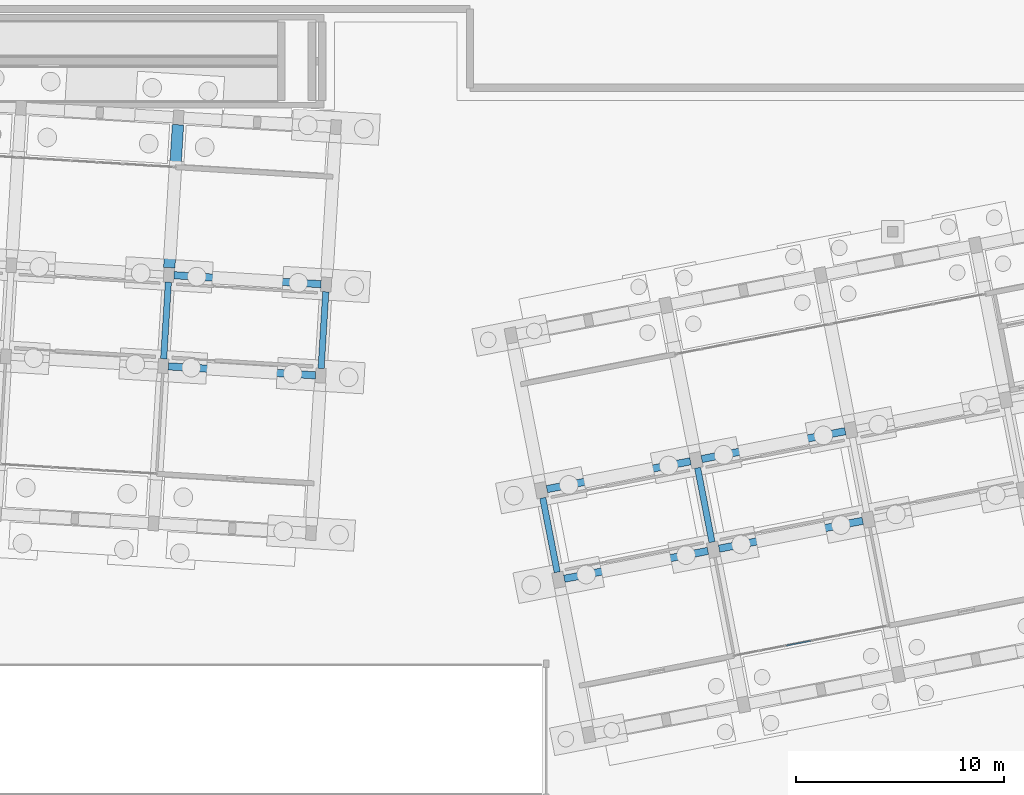
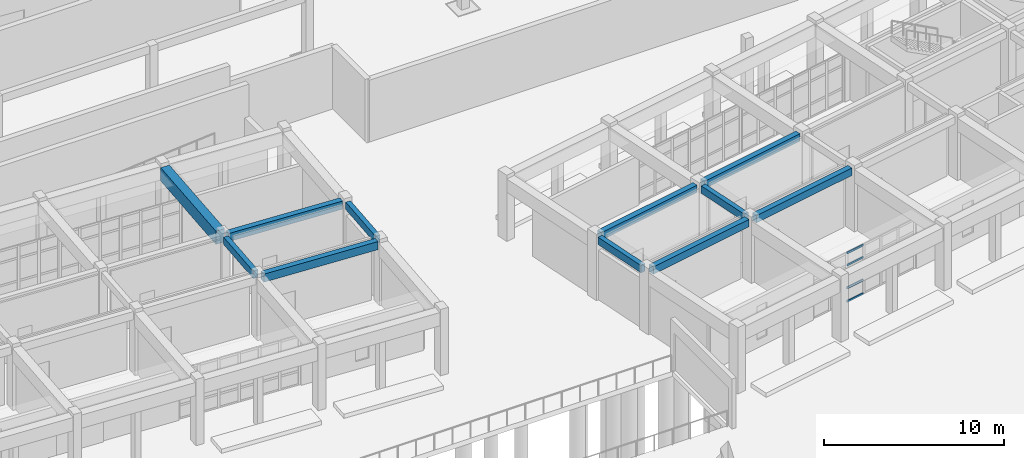
# One storey, part 55 of 154: 11 beams, 4 members, 1 element without a shape of its own.
"""IFC4 building model written with IfcOpenShell, lengths in metres."""

import ifcopenshell
import ifcopenshell.guid

model = None  # the IFC model being written
_history = None  # IfcOwnerHistory: only IFC2X3 demands one
_inside = {}  # id of a spatial element -> (the spatial element, [elements in it])
_under = {}  # id of a project, library or spatial element -> (it, [spatial elements below it])
_declared = {}  # id of a project -> (the project, [libraries it declares])
_typed = {}  # id of a type object -> (the type object, [elements of that type])
_made_of = {}  # id of a material, layer set ... -> (it, [elements and type objects made of it])


def new_model(schema):
    """Start an empty IFC model of exactly this schema.

    Asked for "IFC4X3", IfcOpenShell would pick the latest addendum, in which some entities
    have other attributes; the version numbers below select the first issue.
    IFC2X3 requires an IfcOwnerHistory on every rooted entity: one is made here for all.
    """
    global model, _history
    if schema == "IFC4X3":
        model = ifcopenshell.file(schema_version=(4, 3, 0, 0))
    else:
        model = ifcopenshell.file(schema=schema)
    _inside.clear()
    _under.clear()
    _declared.clear()
    _typed.clear()
    _made_of.clear()
    _history = None
    if model.schema == "IFC2X3":
        org = make("IfcOrganization", Name="unknown")
        user = make(
            "IfcPersonAndOrganization",
            ThePerson=make("IfcPerson", FamilyName="unknown"),
            TheOrganization=org,
        )
        app = make(
            "IfcApplication",
            ApplicationDeveloper=org,
            Version="unknown",
            ApplicationFullName="unknown",
            ApplicationIdentifier="unknown",
        )
        _history = make(
            "IfcOwnerHistory",
            OwningUser=user,
            OwningApplication=app,
            ChangeAction="ADDED",
            CreationDate=0,
        )
    return model


def make(cls, **values):
    """One entity of the class cls with the attributes given. An attribute that is None is left unset."""
    return model.create_entity(
        cls, **{name: value for name, value in values.items() if value is not None}
    )


def rooted(cls, **values):
    """An entity with a GlobalId (a new one), such as an element, a storey or a relation."""
    return make(cls, GlobalId=ifcopenshell.guid.new(), OwnerHistory=_history, **values)


def si_unit(unit_type, name, prefix=None):
    """IfcSIUnit, for example si_unit("LENGTHUNIT", "METRE", prefix="MILLI")."""
    return make("IfcSIUnit", UnitType=unit_type, Prefix=prefix, Name=name)


def assignment(units):
    """IfcUnitAssignment: the units of a project."""
    return None if units is None else make("IfcUnitAssignment", Units=units)


def point(xyz):
    """IfcCartesianPoint."""
    return None if xyz is None else make("IfcCartesianPoint", Coordinates=xyz)


def direction(xyz):
    """IfcDirection."""
    return None if xyz is None else make("IfcDirection", DirectionRatios=xyz)


def frame(location, z_axis=None, x_axis=None):
    """IfcAxis2Placement3D, a coordinate frame: its origin and axes. An axis left out is left unset."""
    return make(
        "IfcAxis2Placement3D",
        Location=point(location),
        Axis=direction(z_axis),
        RefDirection=direction(x_axis),
    )


def frame_2d(location, x_axis=None):
    """IfcAxis2Placement2D, a coordinate frame in the plane: its origin and x axis."""
    return make(
        "IfcAxis2Placement2D", Location=point(location), RefDirection=direction(x_axis)
    )


def origin():
    """The frame at (0, 0, 0) with its axes left unset."""
    return frame((0.0, 0.0, 0.0))


def origin_2d():
    """The frame at (0, 0) in the plane with its x axis left unset."""
    return frame_2d((0.0, 0.0))


def place(relative_to, where):
    """IfcLocalPlacement: puts the frame where relative to a parent placement (None: the world)."""
    return make(
        "IfcLocalPlacement", PlacementRelTo=relative_to, RelativePlacement=where
    )


def context(
    kind, dimensions, precision=None, world=None, true_north=None, identifier=None
):
    """IfcGeometricRepresentationContext, for example the 3D "Model" context."""
    return make(
        "IfcGeometricRepresentationContext",
        ContextIdentifier=identifier,
        ContextType=kind,
        CoordinateSpaceDimension=dimensions,
        Precision=precision,
        WorldCoordinateSystem=world,
        TrueNorth=true_north,
    )


def subcontext(parent, identifier, kind, view, scale=None):
    """IfcGeometricRepresentationSubContext, for example "Body" below "Model"."""
    return make(
        "IfcGeometricRepresentationSubContext",
        ContextIdentifier=identifier,
        ContextType=kind,
        ParentContext=parent,
        TargetScale=scale,
        TargetView=view,
    )


def project(units=None, contexts=None):
    """IfcProject with its units and contexts."""
    return rooted(
        "IfcProject",
        Name="project",
        RepresentationContexts=contexts,
        UnitsInContext=assignment(units),
    )


def spatial(cls, under=None, at=None, **own):
    """A site, building, storey or space (cls), placed at a placement, below another one or the project."""
    s = rooted(cls, ObjectPlacement=at, **own)
    if under is not None:
        _under.setdefault(under.id(), (under, []))[1].append(s)
    return s


def profile(cls, at=None, kind="AREA", **sizes):
    """A parametric profile (cls). Its sizes go by their IFC names, for example OverallWidth=200.0."""
    return make(cls, ProfileType=kind, Position=at, **sizes)


def rectangle(**sizes):
    """IfcRectangleProfileDef."""
    return profile("IfcRectangleProfileDef", **sizes)


def hollow_rectangle(**sizes):
    """IfcRectangleHollowProfileDef."""
    return profile("IfcRectangleHollowProfileDef", **sizes)


def extrude(swept, where, along, depth):
    """IfcExtrudedAreaSolid: the profile swept, set in the frame where, extruded along a direction by depth."""
    return make(
        "IfcExtrudedAreaSolid",
        SweptArea=swept,
        Position=where,
        ExtrudedDirection=direction(along),
        Depth=depth,
    )


def shape(context_of_items, identifier, shape_type, items):
    """IfcShapeRepresentation: the items that make up one representation, for example the "Body"."""
    return make(
        "IfcShapeRepresentation",
        ContextOfItems=context_of_items,
        RepresentationIdentifier=identifier,
        RepresentationType=shape_type,
        Items=items,
    )


def material(Name=None, Category=None):
    """IfcMaterial."""
    return make("IfcMaterial", Name=Name, Category=Category)


def material_profile(
    of_material, cross_section, Name=None, Category=None, Priority=None
):
    """IfcMaterialProfile: a cross section and its material."""
    return make(
        "IfcMaterialProfile",
        Name=Name,
        Material=of_material,
        Profile=cross_section,
        Priority=Priority,
        Category=Category,
    )


def profile_set(profiles, Name=None, composite=None):
    """IfcMaterialProfileSet."""
    return make(
        "IfcMaterialProfileSet",
        Name=Name,
        MaterialProfiles=profiles,
        CompositeProfile=composite,
    )


def made_of(thing, what):
    """Note that an element or type object is made of a material, layer set ...; save() writes the relation."""
    if what is not None:
        _made_of.setdefault(what.id(), (what, []))[1].append(thing)
    return thing


def type_object(cls, material=None, **own):
    """A type object (cls), such as IfcWallType, which elements share."""
    return made_of(rooted(cls, **own), material)


def element(
    cls,
    number,
    at=None,
    inside=None,
    cuts=None,
    type_object=None,
    material=None,
    context=None,
    identifier="Body",
    shape_type=None,
    held_by="IfcProductDefinitionShape",
    body=None,
    shapes=None,
    **own,
):
    """One element of the class cls, such as IfcWall. Its Tag is "e" and its number.

    at: its placement. inside: the storey or other place that contains it. cuts: it is an
    opening in that element (IfcRelVoidsElement). A single representation is given by context,
    identifier, shape_type and body (its items); several are given by shapes. held_by: the class
    of the entity that holds the representations. save() writes the other relations.
    """
    e = rooted(cls, Tag="e%d" % number, ObjectPlacement=at, **own)
    if body is not None:
        shapes = [shape(context, identifier, shape_type, body)]
    if shapes is not None:
        e.Representation = make(held_by, Representations=shapes)
    if inside is not None:
        _inside.setdefault(inside.id(), (inside, []))[1].append(e)
    if cuts is not None:
        rooted(
            "IfcRelVoidsElement", RelatingBuildingElement=cuts, RelatedOpeningElement=e
        )
    if type_object is not None:
        _typed.setdefault(type_object.id(), (type_object, []))[1].append(e)
    return made_of(e, material)


def aggregate(whole, parts):
    """IfcRelAggregates: a whole, such as a stair, and the parts it consists of."""
    return rooted("IfcRelAggregates", RelatingObject=whole, RelatedObjects=parts)


def save(model, path):
    """Write the relations noted so far, then the file.

    IfcRelAggregates (storeys below a building ...), IfcRelContainedInSpatialStructure (elements
    in a storey), IfcRelDefinesByType, IfcRelAssociatesMaterial and IfcRelDeclares: one each for
    every whole, place, type object, material and project.
    """
    for whole, parts in _under.values():
        aggregate(whole, parts)
    for where, things in _inside.values():
        rooted(
            "IfcRelContainedInSpatialStructure",
            RelatedElements=things,
            RelatingStructure=where,
        )
    for kind, things in _typed.values():
        rooted("IfcRelDefinesByType", RelatedObjects=things, RelatingType=kind)
    for what, things in _made_of.values():
        rooted("IfcRelAssociatesMaterial", RelatedObjects=things, RelatingMaterial=what)
    for by, libraries in _declared.values():
        rooted("IfcRelDeclares", RelatingContext=by, RelatedDefinitions=libraries)
    model.write(path)


model = new_model("IFC4")

# Units and contexts
model_context = context("Model", 3, precision=1e-05, world=origin(), true_north=direction((0.0, 1.0)))
body_context = subcontext(model_context, "Body", "Model", "MODEL_VIEW")
ifc_project = project(units=[si_unit("LENGTHUNIT", "METRE"), si_unit("AREAUNIT", "SQUARE_METRE"), si_unit("VOLUMEUNIT", "CUBIC_METRE"), si_unit("PLANEANGLEUNIT", "RADIAN"), si_unit("MASSUNIT", "GRAM", prefix="KILO")], contexts=[model_context])

# Site, building, storey
site_placement = place(None, origin())
site = spatial("IfcSite", under=ifc_project, at=site_placement, CompositionType="ELEMENT")
building_placement = place(site_placement, origin())
building = spatial("IfcBuilding", under=site, at=building_placement, Name="Kestramere Prow Commons", CompositionType="ELEMENT")
storey_placement = place(building_placement, origin())
storey = spatial("IfcBuildingStorey", under=building, at=storey_placement, Name="L00", CompositionType="ELEMENT", Elevation=0.0)

# Beams
ifc_material_1 = material(Name="Precast concrete C40/50", Category="concrete")
ifc_material_profile_1 = material_profile(ifc_material_1, rectangle(XDim=0.35009765625, YDim=0.550048828125, at=origin_2d()), Name="PC-BM 350x550")
ifc_profile_set_1 = profile_set([ifc_material_profile_1], Name="Precast concrete C40/50")
beam_type_1 = type_object("IfcBeamType", Name="BM-C1 PC-BM 350x550", PredefinedType="BEAM", material=ifc_profile_set_1)
for number, where, z_axis, x_axis, name in (
    (1, (98.142578125, 51.750732421875, 3.97509765625), (0.99813569621, -0.061033859059, 0.0), (0.061033859059, 0.99813569621, 0.0), "Block C L00 Longitudinal Beam 2-6"),
    (2, (98.4111328125, 56.142578125, 3.97509765625), (0.998133600873, -0.061068116134, 0.0), (0.061068116134, 0.998133600873, 0.0), "Block C L00 Longitudinal Beam 3-6"),
):
    element("IfcBeam", number, at=place(storey_placement, frame(where, z_axis=z_axis, x_axis=x_axis)), inside=storey, type_object=beam_type_1, Name=name, PredefinedType="BEAM", context=body_context, shape_type="SweptSolid", body=[
        extrude(rectangle(XDim=0.35009765625, YDim=0.550048828125, at=origin_2d()), origin(), (0.0, 0.0, 1.0), 7.10009765625),
    ])
ifc_material_profile_2 = material_profile(ifc_material_1, rectangle(XDim=0.35009765625, YDim=0.5, at=origin_2d()), Name="PC-BM 350x500")
ifc_profile_set_2 = profile_set([ifc_material_profile_2], Name="Precast concrete C40/50")
beam_type_2 = type_object("IfcBeamType", Name="BM-D1 PC-BM 350x500", PredefinedType="BEAM", material=ifc_profile_set_2)
beam_1_placement = place(storey_placement, frame((117.2197265625, 41.512939453125, 4.0), z_axis=(0.981627823124, 0.190805704498, 0.0), x_axis=(-0.190805704498, 0.981627823124, 0.0)))
element("IfcBeam", 3, at=beam_1_placement, inside=storey, type_object=beam_type_2, Name="Block D L00 Longitudinal Beam 2-1", PredefinedType="BEAM", context=body_context, shape_type="SweptSolid", body=[
    extrude(rectangle(XDim=0.35009765625, YDim=0.5, at=origin_2d()), origin(), (0.0, 0.0, 1.0), 7.05029296875),
])
beam_2_placement = place(storey_placement, frame((124.68017578125, 42.962890625, 4.0), z_axis=(0.981626562328, 0.19081219073, 0.0), x_axis=(-0.19081219073, 0.981626562328, 0.0)))
element("IfcBeam", 4, at=beam_2_placement, inside=storey, type_object=beam_type_2, Name="Block D L00 Longitudinal Beam 2-2", PredefinedType="BEAM", context=body_context, shape_type="SweptSolid", body=[
    extrude(rectangle(XDim=0.35009765625, YDim=0.5, at=origin_2d()), origin(), (0.0, 0.0, 1.0), 7.050048828125),
])
beam_3_placement = place(storey_placement, frame((116.380126953125, 45.83203125, 4.0), z_axis=(0.981627823124, 0.190805704498, 0.0), x_axis=(-0.190805704498, 0.981627823124, 0.0)))
element("IfcBeam", 5, at=beam_3_placement, inside=storey, type_object=beam_type_2, Name="Block D L00 Longitudinal Beam 3-1", PredefinedType="BEAM", context=body_context, shape_type="SweptSolid", body=[
    extrude(rectangle(XDim=0.35009765625, YDim=0.5, at=origin_2d()), origin(), (0.0, 0.0, 1.0), 7.05029296875),
])
beam_4_placement = place(storey_placement, frame((123.840576171875, 47.2822265625, 4.0), z_axis=(0.981626562328, 0.19081219073, 0.0), x_axis=(-0.19081219073, 0.981626562328, 0.0)))
element("IfcBeam", 6, at=beam_4_placement, inside=storey, type_object=beam_type_2, Name="Block D L00 Longitudinal Beam 3-2", PredefinedType="BEAM", context=body_context, shape_type="SweptSolid", body=[
    extrude(rectangle(XDim=0.35009765625, YDim=0.5, at=origin_2d()), origin(), (0.0, 0.0, 1.0), 7.050048828125),
])
ifc_material_profile_3 = material_profile(ifc_material_1, rectangle(XDim=0.300048828125, YDim=0.5, at=origin_2d()), Name="PC-BM 300x500")
ifc_profile_set_3 = profile_set([ifc_material_profile_3], Name="Precast concrete C40/50")
beam_type_3 = type_object("IfcBeamType", Name="BM-TIE-01 PC-BM 300x500", PredefinedType="BEAM", material=ifc_profile_set_3)
for number, where, z_axis, x_axis, name in (
    (7, (97.91455078125, 52.115234375, 4.0), (0.061034934762, 0.998135630432, 0.0), (-0.998135630432, 0.061034934762, 0.0), "Block C L00 Transverse Beam 6-2"),
    (8, (105.500244140625, 51.6513671875, 4.0), (0.061034934762, 0.998135630432, 0.0), (-0.998135630432, 0.061034934762, 0.0), "Block C L00 Transverse Beam 7-2"),
):
    element("IfcBeam", number, at=place(storey_placement, frame(where, z_axis=z_axis, x_axis=x_axis)), inside=storey, type_object=beam_type_3, Name=name, PredefinedType="BEAM", context=body_context, shape_type="SweptSolid", body=[
        extrude(rectangle(XDim=0.300048828125, YDim=0.5, at=origin_2d()), origin(), (0.0, 0.0, 1.0), 3.699951171875),
    ])
for number, where, z_axis, x_axis, name in (
    (9, (116.87841796875, 41.828369140625, 4.0), (-0.190826692535, 0.981623743303, 0.0), (-0.981623743303, -0.190826692535, 0.0), "Block D L00 Transverse Beam 1-2"),
    (10, (124.338623046875, 43.278564453125, 4.0), (-0.190762240628, 0.981636270495, 0.0), (-0.981636270495, -0.190762240628, 0.0), "Block D L00 Transverse Beam 2-2"),
):
    element("IfcBeam", number, at=place(storey_placement, frame(where, z_axis=z_axis, x_axis=x_axis)), inside=storey, type_object=beam_type_3, Name=name, PredefinedType="BEAM", context=body_context, shape_type="SweptSolid", body=[
        extrude(rectangle(XDim=0.300048828125, YDim=0.5, at=origin_2d()), origin(), (0.0, 0.0, 1.0), 3.650146484375),
    ])

# Curtain wall, members
ifc_material_2 = material(Name="Anodised Aluminium and Low-E Glass", Category="aluminium")
curtain_wall_type = type_object("IfcCurtainWallType", Name="CW-07 Glazed Curtain Wall 7580x3350", PredefinedType="USERDEFINED", material=ifc_material_2)
curtain_wall_placement = place(storey_placement, origin())
curtain_wall = element("IfcCurtainWall", 11, at=curtain_wall_placement, inside=storey, type_object=curtain_wall_type, Name="Block D L00 South Colonnade Storefront 2", ObjectType="GLAZED CURTAIN WALL", PredefinedType="USERDEFINED")
ifc_material_3 = material(Name="Anodised Aluminium 6063-T6", Category="aluminium")
ifc_material_profile_4 = material_profile(ifc_material_3, hollow_rectangle(XDim=0.06494140625, YDim=0.1298828125, WallThickness=0.00390625, at=origin_2d()), Name="ALU-TRN 65x130")
ifc_profile_set_4 = profile_set([ifc_material_profile_4], Name="Anodised Aluminium 6063-T6")
member_type = type_object("IfcMemberType", Name="CW-TRN-65x130", PredefinedType="USERDEFINED", material=ifc_profile_set_4)
member_1_placement = place(storey_placement, frame((129.1005859375, 38.52490234375, 0.032470703125), z_axis=(-0.981647187644, -0.190706053889, 0.0), x_axis=(0.190706053889, -0.981647187644, 0.0)))
member_1 = element("IfcMember", 12, at=member_1_placement, type_object=member_type, Name="CW-07 transom 4.1", ObjectType="TRANSOM", PredefinedType="USERDEFINED", context=body_context, shape_type="SweptSolid", body=[
    extrude(hollow_rectangle(XDim=0.06494140625, YDim=0.1298828125, WallThickness=0.00390625, at=origin_2d()), origin(), (0.0, 0.0, 1.0), 1.1982421875),
])
member_2_placement = place(storey_placement, frame((129.1005859375, 38.52490234375, 0.949951171875), z_axis=(-0.981647187644, -0.190706053889, 0.0), x_axis=(0.190706053889, -0.981647187644, 0.0)))
member_2 = element("IfcMember", 13, at=member_2_placement, type_object=member_type, Name="CW-07 transom 4.2", ObjectType="TRANSOM", PredefinedType="USERDEFINED", context=body_context, shape_type="SweptSolid", body=[
    extrude(hollow_rectangle(XDim=0.06494140625, YDim=0.1298828125, WallThickness=0.00390625, at=origin_2d()), origin(), (0.0, 0.0, 1.0), 1.1982421875),
])
member_3_placement = place(storey_placement, frame((129.1005859375, 38.52490234375, 2.5), z_axis=(-0.981647187644, -0.190706053889, 0.0), x_axis=(0.190706053889, -0.981647187644, 0.0)))
member_3 = element("IfcMember", 14, at=member_3_placement, type_object=member_type, Name="CW-07 transom 4.3", ObjectType="TRANSOM", PredefinedType="USERDEFINED", context=body_context, shape_type="SweptSolid", body=[
    extrude(hollow_rectangle(XDim=0.06494140625, YDim=0.1298828125, WallThickness=0.00390625, at=origin_2d()), origin(), (0.0, 0.0, 1.0), 1.1982421875),
])
member_4_placement = place(storey_placement, frame((129.1005859375, 38.52490234375, 3.3173828125), z_axis=(-0.981647187644, -0.190706053889, 0.0), x_axis=(0.190706053889, -0.981647187644, 0.0)))
member_4 = element("IfcMember", 15, at=member_4_placement, type_object=member_type, Name="CW-07 transom 4.4", ObjectType="TRANSOM", PredefinedType="USERDEFINED", context=body_context, shape_type="SweptSolid", body=[
    extrude(hollow_rectangle(XDim=0.06494140625, YDim=0.1298828125, WallThickness=0.00390625, at=origin_2d()), origin(), (0.0, 0.0, 1.0), 1.1982421875),
])
aggregate(curtain_wall, [member_1, member_2, member_3, member_4])

# Beam
ifc_material_profile_5 = material_profile(ifc_material_1, rectangle(XDim=0.550048828125, YDim=0.89990234375, at=origin_2d()), Name="PC-TG 550x900")
ifc_profile_set_5 = profile_set([ifc_material_profile_5], Name="Precast concrete C40/50")
beam_type_4 = type_object("IfcBeamType", Name="TG-01 PC-TG 550x900 (EX)", PredefinedType="BEAM", material=ifc_profile_set_5)
beam_5_placement = place(storey_placement, frame((98.18310546875, 56.507080078125, 3.800048828125), z_axis=(0.061034526959, 0.998135655369, 0.0), x_axis=(-0.998135655369, 0.061034526959, 0.0)))
element("IfcBeam", 16, at=beam_5_placement, inside=storey, type_object=beam_type_4, Name="Block C L00 N Colonnade Transfer Girder 6", PredefinedType="BEAM", context=body_context, shape_type="SweptSolid", body=[
    extrude(rectangle(XDim=0.550048828125, YDim=0.89990234375, at=origin_2d()), origin(), (0.0, 0.0, 1.0), 6.900146484375),
])

save(model, "model.ifc")
